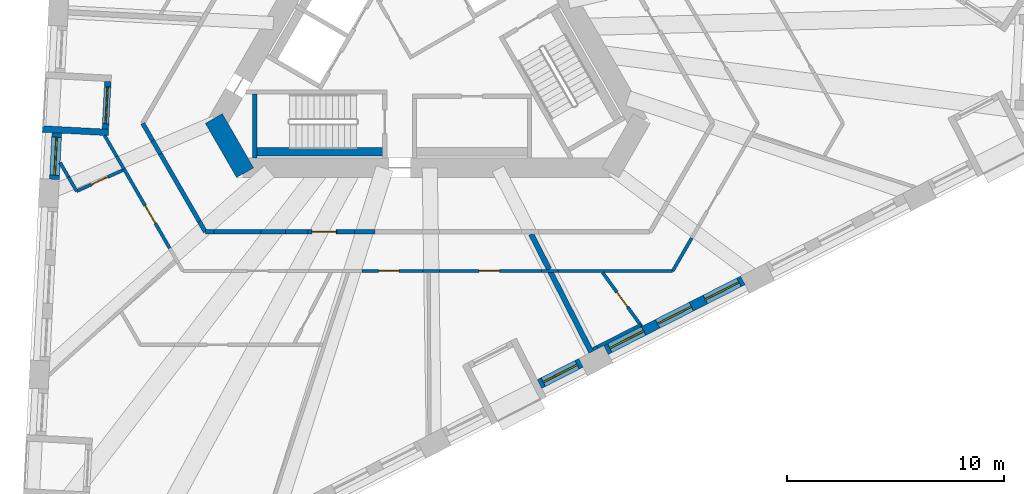
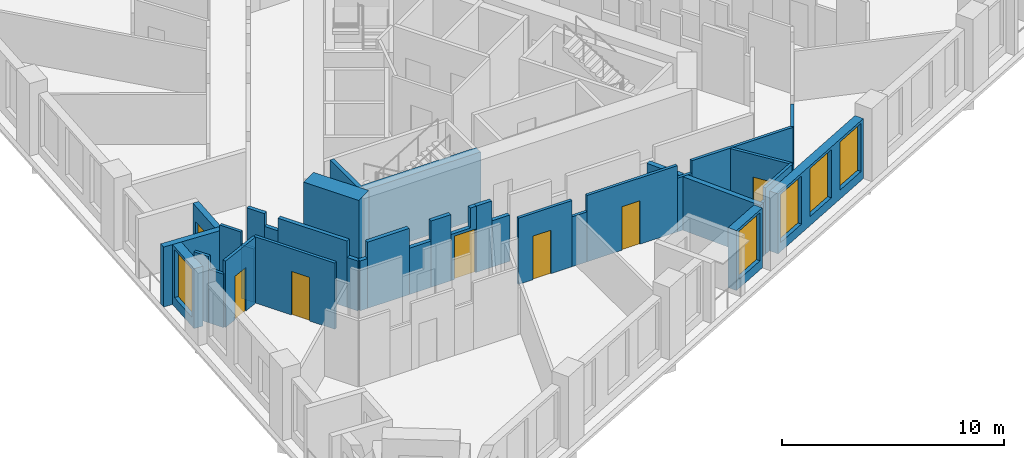
# One storey, part 3 of 12: 36 walls, 7 doors, 5 windows, 12 openings.
"""IFC4 building model written with IfcOpenShell, lengths in metres."""

from ifc_helpers import new_model, si_unit, direction, frame, frame_2d, origin, place, context, subcontext, project, spatial, polyline, rectangle, outline, extrude, material, layer, layer_set, type_object, element, fill, save


model = new_model("IFC4")

# Units and contexts
model_context = context("Model", 3, precision=1e-05, world=origin(), true_north=direction((0.0, 1.0)))
body_context = subcontext(model_context, "Body", "Model", "MODEL_VIEW")
ifc_project = project(units=[si_unit("LENGTHUNIT", "METRE"), si_unit("AREAUNIT", "SQUARE_METRE"), si_unit("VOLUMEUNIT", "CUBIC_METRE"), si_unit("PLANEANGLEUNIT", "RADIAN"), si_unit("MASSUNIT", "GRAM", prefix="KILO")], contexts=[model_context])

# Site, building, storey
site_placement = place(None, origin())
site = spatial("IfcSite", under=ifc_project, at=site_placement, CompositionType="ELEMENT")
building_placement = place(site_placement, origin())
building = spatial("IfcBuilding", under=site, at=building_placement, Name="Tramontana Tower", CompositionType="ELEMENT")
storey_placement = place(building_placement, frame((0.0, 0.0, 133.60009765625)))
storey = spatial("IfcBuildingStorey", under=building, at=storey_placement, Name="L30", CompositionType="ELEMENT", Elevation=133.60009765625)

# Walls
ifc_material_1 = material(Name="Concrete 70 MPa", Category="concrete")
ifc_layer_1 = layer(ifc_material_1, 0.89990234375)
ifc_layer_set_1 = layer_set([ifc_layer_1], Name="Core wall 900 70 MPa")
wall_type_1 = type_object("IfcWallType", Name="Core wall 900 70 MPa", PredefinedType="SHEAR", material=ifc_layer_set_1)
wall_1_placement = place(storey_placement, frame((-9.8583984375, -4.02490234375, 0.0), z_axis=(0.0, 0.0, 1.0), x_axis=(0.500059191753, -0.865991226713, 0.0)))
element("IfcWall", 1, at=wall_1_placement, inside=storey, type_object=wall_type_1, Name="Core wall C2 L30", PredefinedType="SHEAR", context=body_context, shape_type="SweptSolid", body=[
    extrude(rectangle(XDim=2.886962890625, YDim=0.89990234375, at=frame_2d((1.443359375, 0.0))), origin(), (0.0, 0.0, 1.0), 4.0),
])
ifc_material_2 = material(Name="Blockwork", Category="masonry")
ifc_layer_2 = layer(ifc_material_2, 0.199951171875)
ifc_layer_set_2 = layer_set([ifc_layer_2], Name="ENTRY WALL 200")
wall_type_2 = type_object("IfcWallType", Name="ENTRY WALL 200", PredefinedType="SOLIDWALL", material=ifc_layer_set_2)
wall_2_placement = place(storey_placement, frame((-2.441162109375, -9.25, 0.0), z_axis=(0.0, 0.0, 1.0), x_axis=(-1.0, 0.0, 0.0)))
element("IfcWall", 2, at=wall_2_placement, inside=storey, type_object=wall_type_2, Name="Wall v30-ew2-5", PredefinedType="SOLIDWALL", context=body_context, shape_type="SweptSolid", body=[
    extrude(rectangle(XDim=0.943603515625, YDim=0.199951171875, at=frame_2d((0.4716796875, 0.0))), origin(), (0.0, 0.0, 1.0), 2.5498046875),
])
wall_3_placement = place(storey_placement, frame((-3.384765625, -9.25, 0.0), z_axis=(0.0, 0.0, 1.0), x_axis=(-1.0, 0.0, 0.0)))
element("IfcWall", 3, at=wall_3_placement, inside=storey, type_object=wall_type_2, Name="Wall v30-ew2-6", PredefinedType="SOLIDWALL", context=body_context, shape_type="SweptSolid", body=[
    extrude(rectangle(XDim=0.80078125, YDim=0.199951171875, at=frame_2d((0.400390625, 0.0))), origin(), (0.0, 0.0, 1.0), 3.64990234375),
])

# Wall, opening, door
wall_4_placement = place(storey_placement, frame((-5.522216796875, -9.25, 0.0), z_axis=(0.0, 0.0, 1.0), x_axis=(1.0, 0.0, 0.0)))
wall_4 = element("IfcWall", 4, at=wall_4_placement, inside=storey, type_object=wall_type_2, Name="Wall v30-ew2-7", PredefinedType="SOLIDWALL", context=body_context, shape_type="SweptSolid", body=[
    extrude(outline(polyline([(0.0, 0.0), (1.336669921875, 0.0), (1.336669921875, 3.64990234375), (1.0234375, 3.64990234375), (1.0234375, 2.5498046875), (0.0, 2.5498046875), (0.0, 0.0)])), frame((0.0, 0.10009765625, 0.0), z_axis=(0.0, -1.0, 0.0), x_axis=(1.0, 0.0, 0.0)), (0.0, 0.0, 1.0), 0.199951171875),
])
opening_1_placement = place(wall_4_placement, frame((0.186767578125, 0.0, 0.0)))
opening_1 = element("IfcOpeningElement", 5, at=opening_1_placement, cuts=wall_4, Name="Opening B3A-23", PredefinedType="OPENING", context=body_context, shape_type="SweptSolid", body=[
    extrude(rectangle(XDim=1.10009765625, YDim=2.39990234375, at=frame_2d((0.550048828125, 1.199951171875))), frame((0.0, 0.10986328125, 0.0), z_axis=(0.0, -1.0, 0.0), x_axis=(1.0, 0.0, 0.0)), (0.0, 0.0, 1.0), 0.219970703125),
])
ifc_material_3 = material(Name="Painted timber", Category="wood")
door_type_1 = type_object("IfcDoorType", Name="DOOR ENTRY 1100", OperationType="SINGLE_SWING_LEFT", PredefinedType="DOOR", material=ifc_material_3)
door_1_placement = place(opening_1_placement, origin())
door_1 = element("IfcDoor", 6, at=door_1_placement, inside=storey, type_object=door_type_1, Name="Door B3A-23", OperationType="SINGLE_SWING_LEFT", OverallHeight=2.39990234375, OverallWidth=1.10009765625, PredefinedType="DOOR", context=body_context, shape_type="SweptSolid", body=[
    extrude(rectangle(XDim=1.10009765625, YDim=2.39990234375, at=frame_2d((0.550048828125, 1.199951171875))), frame((0.0, 0.02490234375, 0.0), z_axis=(0.0, -1.0, 0.0), x_axis=(1.0, 0.0, 0.0)), (0.0, 0.0, 1.0), 0.050048828125),
])
fill(opening_1, door_1)

# Walls
wall_5_placement = place(storey_placement, frame((-5.522216796875, -9.25, 0.0), z_axis=(0.0, 0.0, 1.0), x_axis=(-1.0, 0.0, 0.0)))
element("IfcWall", 7, at=wall_5_placement, inside=storey, type_object=wall_type_2, Name="Wall v30-ew2-8", PredefinedType="SOLIDWALL", context=body_context, shape_type="SweptSolid", body=[
    extrude(rectangle(XDim=1.0224609375, YDim=0.199951171875, at=frame_2d((0.51123046875, 0.0))), origin(), (0.0, 0.0, 1.0), 3.64990234375),
])
wall_6_placement = place(storey_placement, frame((-6.544677734375, -9.25, 0.0), z_axis=(0.0, 0.0, 1.0), x_axis=(-1.0, 0.0, 0.0)))
element("IfcWall", 8, at=wall_6_placement, inside=storey, type_object=wall_type_2, Name="Wall v30-ew2-9", PredefinedType="SOLIDWALL", context=body_context, shape_type="SweptSolid", body=[
    extrude(rectangle(XDim=1.13525390625, YDim=0.199951171875, at=frame_2d((0.567626953125, 0.0))), origin(), (0.0, 0.0, 1.0), 2.5498046875),
])
wall_7_placement = place(storey_placement, frame((-7.679931640625, -9.25, 0.0), z_axis=(0.0, 0.0, 1.0), x_axis=(-1.0, 0.0, 0.0)))
element("IfcWall", 9, at=wall_7_placement, inside=storey, type_object=wall_type_2, Name="Wall v30-ew2-10", PredefinedType="SOLIDWALL", context=body_context, shape_type="SweptSolid", body=[
    extrude(rectangle(XDim=2.1787109375, YDim=0.199951171875, at=frame_2d((1.08935546875, 0.0))), origin(), (0.0, 0.0, 1.0), 3.64990234375),
])
wall_8_placement = place(storey_placement, frame((-9.858642578125, -9.25, 0.0), z_axis=(0.0, 0.0, 1.0), x_axis=(-1.0, 0.0, 0.0)))
element("IfcWall", 10, at=wall_8_placement, inside=storey, type_object=wall_type_2, Name="Wall v30-ew2-11", PredefinedType="SOLIDWALL", context=body_context, shape_type="SweptSolid", body=[
    extrude(rectangle(XDim=0.389404296875, YDim=0.199951171875, at=frame_2d((0.19482421875, 0.0))), origin(), (0.0, 0.0, 1.0), 2.75),
])
wall_9_placement = place(storey_placement, frame((-10.248046875, -9.25, 0.0), z_axis=(0.0, 0.0, 1.0), x_axis=(-0.499887958344, 0.866090081402, 0.0)))
element("IfcWall", 11, at=wall_9_placement, inside=storey, type_object=wall_type_2, Name="Wall v30-ew3-0", PredefinedType="SOLIDWALL", context=body_context, shape_type="SweptSolid", body=[
    extrude(rectangle(XDim=0.553466796875, YDim=0.199951171875, at=frame_2d((0.27685546875, 0.0))), origin(), (0.0, 0.0, 1.0), 2.75),
])
wall_10_placement = place(storey_placement, frame((-10.524658203125, -8.770751953125, 0.0), z_axis=(0.0, 0.0, 1.0), x_axis=(-0.500031425827, 0.866007259314, 0.0)))
element("IfcWall", 12, at=wall_10_placement, inside=storey, type_object=wall_type_2, Name="Wall v30-ew3-1", PredefinedType="SOLIDWALL", context=body_context, shape_type="SweptSolid", body=[
    extrude(rectangle(XDim=3.602294921875, YDim=0.199951171875, at=frame_2d((1.80126953125, 0.0))), origin(), (0.0, 0.0, 1.0), 3.64990234375),
])
wall_11_placement = place(storey_placement, frame((-12.325927734375, -5.651123046875, 0.0), z_axis=(0.0, 0.0, 1.0), x_axis=(-0.499752435038, 0.86616828831, 0.0)))
element("IfcWall", 13, at=wall_11_placement, inside=storey, type_object=wall_type_2, Name="Wall v30-ew3-2", PredefinedType="SOLIDWALL", context=body_context, shape_type="SweptSolid", body=[
    extrude(rectangle(XDim=0.704833984375, YDim=0.199951171875, at=frame_2d((0.3525390625, 0.0))), origin(), (0.0, 0.0, 1.0), 2.949951171875),
])
wall_12_placement = place(storey_placement, frame((-12.67822265625, -5.04052734375, 0.0), z_axis=(0.0, 0.0, 1.0), x_axis=(-0.500108273885, 0.865962882802, 0.0)))
element("IfcWall", 14, at=wall_12_placement, inside=storey, type_object=wall_type_2, Name="Wall v30-ew3-3", PredefinedType="SOLIDWALL", context=body_context, shape_type="SweptSolid", body=[
    extrude(rectangle(XDim=0.912841796875, YDim=0.199951171875, at=frame_2d((0.45654296875, 0.0))), origin(), (0.0, 0.0, 1.0), 3.64990234375),
])

# Wall, opening, window
ifc_material_4 = material(Name="Precast concrete 60 MPa", Category="concrete")
ifc_layer_3 = layer(ifc_material_4, 0.449951171875)
ifc_layer_set_3 = layer_set([ifc_layer_3], Name="Precast concrete 60 MPa, 450 mm")
wall_type_3 = type_object("IfcWallType", Name="EW1 Stone-faced precast wall 450", PredefinedType="SOLIDWALL", material=ifc_layer_set_3)
wall_13_placement = place(storey_placement, frame((-17.093994140625, -4.69287109375, 0.0), z_axis=(0.0, 0.0, 1.0), x_axis=(-0.052355281723, -0.998628521762, 0.0)))
wall_13 = element("IfcWall", 15, at=wall_13_placement, inside=storey, type_object=wall_type_3, Name="External wall L30 face 0 bay 4", PredefinedType="SOLIDWALL", context=body_context, shape_type="SweptSolid", body=[
    extrude(rectangle(XDim=2.140380859375, YDim=0.449951171875, at=frame_2d((1.0703125, 0.0))), origin(), (0.0, 0.0, 1.0), 3.2998046875),
])
opening_2_placement = place(wall_13_placement, frame((0.1953125, 0.0, 0.5)))
opening_2 = element("IfcOpeningElement", 16, at=opening_2_placement, cuts=wall_13, Name="Opening M2", PredefinedType="OPENING", context=body_context, shape_type="SweptSolid", body=[
    extrude(rectangle(XDim=1.75, YDim=2.64990234375, at=frame_2d((0.875, 1.324951171875))), frame((0.0, 0.23486328125, 0.0), z_axis=(0.0, -1.0, 0.0), x_axis=(1.0, 0.0, 0.0)), (0.0, 0.0, 1.0), 0.469970703125),
])
ifc_material_5 = material(Name="Aluminum frame, double glazing unit", Category="aluminium")
window_type = type_object("IfcWindowType", Name="M2 Window 1.75 x 2.65", PartitioningType="SINGLE_PANEL", PredefinedType="WINDOW", material=ifc_material_5)
window_1_placement = place(opening_2_placement, origin())
window_1 = element("IfcWindow", 17, at=window_1_placement, inside=storey, type_object=window_type, Name="Window M2 L30 face 0 module 12", OverallHeight=2.64990234375, OverallWidth=1.75, PartitioningType="SINGLE_PANEL", PredefinedType="WINDOW", context=body_context, shape_type="SweptSolid", body=[
    extrude(rectangle(XDim=1.75, YDim=2.64990234375, at=frame_2d((0.875, 1.324951171875))), frame((0.0, 0.030029296875, 0.0), z_axis=(0.0, -1.0, 0.0), x_axis=(1.0, 0.0, 0.0)), (0.0, 0.0, 1.0), 0.06005859375),
])
fill(opening_2, window_1)

wall_14_placement = place(storey_placement, frame((5.152099609375, -16.258056640625, 0.0), z_axis=(0.0, 0.0, 1.0), x_axis=(0.891025569559, 0.453953119156, 0.0)))
wall_14 = element("IfcWall", 18, at=wall_14_placement, inside=storey, type_object=wall_type_3, Name="External wall L30 face 1 bay 3", PredefinedType="SOLIDWALL", context=body_context, shape_type="SweptSolid", body=[
    extrude(rectangle(XDim=2.140380859375, YDim=0.449951171875, at=frame_2d((1.0703125, 0.0))), origin(), (0.0, 0.0, 1.0), 3.2998046875),
])
opening_3_placement = place(wall_14_placement, frame((0.1953125, 0.0, 0.5)))
opening_3 = element("IfcOpeningElement", 19, at=opening_3_placement, cuts=wall_14, Name="Opening M2", PredefinedType="OPENING", context=body_context, shape_type="SweptSolid", body=[
    extrude(rectangle(XDim=1.75, YDim=2.64990234375, at=frame_2d((0.875, 1.324951171875))), frame((0.0, 0.23486328125, 0.0), z_axis=(0.0, -1.0, 0.0), x_axis=(1.0, 0.0, 0.0)), (0.0, 0.0, 1.0), 0.469970703125),
])
window_2_placement = place(opening_3_placement, origin())
window_2 = element("IfcWindow", 20, at=window_2_placement, inside=storey, type_object=window_type, Name="Window M2 L30 face 1 module 9", OverallHeight=2.64990234375, OverallWidth=1.75, PartitioningType="SINGLE_PANEL", PredefinedType="WINDOW", context=body_context, shape_type="SweptSolid", body=[
    extrude(rectangle(XDim=1.75, YDim=2.64990234375, at=frame_2d((0.875, 1.324951171875))), frame((0.0, 0.030029296875, 0.0), z_axis=(0.0, -1.0, 0.0), x_axis=(1.0, 0.0, 0.0)), (0.0, 0.0, 1.0), 0.06005859375),
])
fill(opening_3, window_2)

# Wall, openings, windows
wall_15_placement = place(storey_placement, frame((8.217529296875, -14.696044921875, 0.0), z_axis=(0.0, 0.0, 1.0), x_axis=(0.891004189171, 0.45399508244, 0.0)))
wall_15 = element("IfcWall", 21, at=wall_15_placement, inside=storey, type_object=wall_type_3, Name="External wall L30 face 1 bay 4", PredefinedType="SOLIDWALL", context=body_context, shape_type="SweptSolid", body=[
    extrude(rectangle(XDim=7.071533203125, YDim=0.449951171875, at=frame_2d((3.53564453125, 0.0))), origin(), (0.0, 0.0, 1.0), 3.2998046875),
])
opening_4_placement = place(wall_15_placement, frame((0.1953125, 0.0, 0.5)))
opening_4 = element("IfcOpeningElement", 22, at=opening_4_placement, cuts=wall_15, Name="Opening M2", PredefinedType="OPENING", context=body_context, shape_type="SweptSolid", body=[
    extrude(rectangle(XDim=1.75, YDim=2.64990234375, at=frame_2d((0.875, 1.324951171875))), frame((0.0, 0.23486328125, 0.0), z_axis=(0.0, -1.0, 0.0), x_axis=(1.0, 0.0, 0.0)), (0.0, 0.0, 1.0), 0.469970703125),
])
opening_5_placement = place(wall_15_placement, frame((2.660888671875, 0.0, 0.5)))
opening_5 = element("IfcOpeningElement", 23, at=opening_5_placement, cuts=wall_15, Name="Opening M2", PredefinedType="OPENING", context=body_context, shape_type="SweptSolid", body=[
    extrude(rectangle(XDim=1.75, YDim=2.64990234375, at=frame_2d((0.875, 1.324951171875))), frame((0.0, 0.23486328125, 0.0), z_axis=(0.0, -1.0, 0.0), x_axis=(1.0, 0.0, 0.0)), (0.0, 0.0, 1.0), 0.469970703125),
])
opening_6_placement = place(wall_15_placement, frame((5.126220703125, 0.0, 0.5)))
opening_6 = element("IfcOpeningElement", 24, at=opening_6_placement, cuts=wall_15, Name="Opening M2", PredefinedType="OPENING", context=body_context, shape_type="SweptSolid", body=[
    extrude(rectangle(XDim=1.75, YDim=2.64990234375, at=frame_2d((0.875, 1.324951171875))), frame((0.0, 0.23486328125, 0.0), z_axis=(0.0, -1.0, 0.0), x_axis=(1.0, 0.0, 0.0)), (0.0, 0.0, 1.0), 0.469970703125),
])
window_3_placement = place(opening_4_placement, origin())
window_3 = element("IfcWindow", 25, at=window_3_placement, inside=storey, type_object=window_type, Name="Window M2 L30 face 1 module 10", OverallHeight=2.64990234375, OverallWidth=1.75, PartitioningType="SINGLE_PANEL", PredefinedType="WINDOW", context=body_context, shape_type="SweptSolid", body=[
    extrude(rectangle(XDim=1.75, YDim=2.64990234375, at=frame_2d((0.875, 1.324951171875))), frame((0.0, 0.030029296875, 0.0), z_axis=(0.0, -1.0, 0.0), x_axis=(1.0, 0.0, 0.0)), (0.0, 0.0, 1.0), 0.06005859375),
])
fill(opening_4, window_3)
window_4_placement = place(opening_5_placement, origin())
window_4 = element("IfcWindow", 26, at=window_4_placement, inside=storey, type_object=window_type, Name="Window M2 L30 face 1 module 11", OverallHeight=2.64990234375, OverallWidth=1.75, PartitioningType="SINGLE_PANEL", PredefinedType="WINDOW", context=body_context, shape_type="SweptSolid", body=[
    extrude(rectangle(XDim=1.75, YDim=2.64990234375, at=frame_2d((0.875, 1.324951171875))), frame((0.0, 0.030029296875, 0.0), z_axis=(0.0, -1.0, 0.0), x_axis=(1.0, 0.0, 0.0)), (0.0, 0.0, 1.0), 0.06005859375),
])
fill(opening_5, window_4)
window_5_placement = place(opening_6_placement, origin())
window_5 = element("IfcWindow", 27, at=window_5_placement, inside=storey, type_object=window_type, Name="Window M2 L30 face 1 module 12", OverallHeight=2.64990234375, OverallWidth=1.75, PartitioningType="SINGLE_PANEL", PredefinedType="WINDOW", context=body_context, shape_type="SweptSolid", body=[
    extrude(rectangle(XDim=1.75, YDim=2.64990234375, at=frame_2d((0.875, 1.324951171875))), frame((0.0, 0.030029296875, 0.0), z_axis=(0.0, -1.0, 0.0), x_axis=(1.0, 0.0, 0.0)), (0.0, 0.0, 1.0), 0.06005859375),
])
fill(opening_6, window_5)

# Wall, opening, door
ifc_material_6 = material(Name="Precast concrete 60 MPa", Category="concrete")
ifc_layer_4 = layer(ifc_material_6, 0.300048828125)
ifc_layer_set_4 = layer_set([ifc_layer_4], Name="LW1 Stone-faced loggia wall 300")
wall_type_4 = type_object("IfcWallType", Name="LW1 Stone-faced loggia wall 300", PredefinedType="SOLIDWALL", material=ifc_layer_set_4)
wall_16_placement = place(storey_placement, frame((-14.74169921875, -2.322265625, 0.0), z_axis=(0.0, 0.0, 1.0), x_axis=(-0.052383338583, -0.998627050424, 0.0)))
wall_16 = element("IfcWall", 28, at=wall_16_placement, inside=storey, type_object=wall_type_4, Name="Loggia wall L30 G3S0.10", PredefinedType="SOLIDWALL", context=body_context, shape_type="SweptSolid", body=[
    extrude(rectangle(XDim=2.1904296875, YDim=0.300048828125, at=frame_2d((1.09521484375, 0.0))), origin(), (0.0, 0.0, 1.0), 3.2998046875),
])
opening_7_placement = place(wall_16_placement, frame((0.245361328125, 0.0, 0.0)))
opening_7 = element("IfcOpeningElement", 29, at=opening_7_placement, cuts=wall_16, Name="Opening BD-3S0-10", PredefinedType="OPENING", context=body_context, shape_type="SweptSolid", body=[
    extrude(rectangle(XDim=1.699951171875, YDim=2.449951171875, at=frame_2d((0.85009765625, 1.22509765625))), frame((0.0, 0.159912109375, 0.0), z_axis=(0.0, -1.0, 0.0), x_axis=(1.0, 0.0, 0.0)), (0.0, 0.0, 1.0), 0.320068359375),
])
ifc_material_7 = material(Name="Aluminum frame, double glazing unit", Category="aluminium")
door_type_2 = type_object("IfcDoorType", Name="BD2 Sliding door 1.7 x 2.45", OperationType="SLIDING_TO_LEFT", PredefinedType="DOOR", material=ifc_material_7)
door_2_placement = place(opening_7_placement, origin())
door_2 = element("IfcDoor", 30, at=door_2_placement, inside=storey, type_object=door_type_2, Name="Loggia door L30 G3S0.10", OperationType="SLIDING_TO_LEFT", OverallHeight=2.449951171875, OverallWidth=1.699951171875, PredefinedType="DOOR", context=body_context, shape_type="SweptSolid", body=[
    extrude(rectangle(XDim=1.699951171875, YDim=2.449951171875, at=frame_2d((0.85009765625, 1.22509765625))), frame((0.0, 0.02490234375, 0.0), z_axis=(0.0, -1.0, 0.0), x_axis=(1.0, 0.0, 0.0)), (0.0, 0.0, 1.0), 0.050048828125),
])
fill(opening_7, door_2)

# Walls
wall_17_placement = place(storey_placement, frame((-17.76025390625, -4.5078125, 0.0), z_axis=(0.0, 0.0, 1.0), x_axis=(0.998633044326, -0.052268946613, 0.0)))
element("IfcWall", 31, at=wall_17_placement, inside=storey, type_object=wall_type_4, Name="Loggia return L30 G3S0.10b", PredefinedType="SOLIDWALL", context=body_context, shape_type="SweptSolid", body=[
    extrude(rectangle(XDim=3.050048828125, YDim=0.300048828125, at=frame_2d((1.52490234375, 0.0))), origin(), (0.0, 0.0, 1.0), 3.2998046875),
])
ifc_material_8 = material(Name="Gypsum board partition")
ifc_layer_5 = layer(ifc_material_8, 0.14990234375)
ifc_layer_set_5 = layer_set([ifc_layer_5], Name="PARTITION 150")
wall_type_5 = type_object("IfcWallType", Name="PARTITION 150", PredefinedType="PARTITIONING", material=ifc_layer_set_5)
wall_18_placement = place(storey_placement, frame((-16.1806640625, -7.374267578125, 0.0), z_axis=(0.0, 0.0, 1.0), x_axis=(-0.499999897272, 0.866025463095, 0.0)))
element("IfcWall", 32, at=wall_18_placement, inside=storey, type_object=wall_type_5, Name="Wall v30-pw01-0", PredefinedType="PARTITIONING", context=body_context, shape_type="SweptSolid", body=[
    extrude(rectangle(XDim=0.76171875, YDim=0.14990234375, at=frame_2d((0.380859375, 0.0))), origin(), (0.0, 0.0, 1.0), 2.949951171875),
])
wall_19_placement = place(storey_placement, frame((-16.5615234375, -6.714599609375, 0.0), z_axis=(0.0, 0.0, 1.0), x_axis=(-0.499917764341, 0.866072877359, 0.0)))
element("IfcWall", 33, at=wall_19_placement, inside=storey, type_object=wall_type_5, Name="Wall v30-pw01-1", PredefinedType="PARTITIONING", context=body_context, shape_type="SweptSolid", body=[
    extrude(rectangle(XDim=0.757568359375, YDim=0.14990234375, at=frame_2d((0.37890625, 0.0))), origin(), (0.0, 0.0, 1.0), 3.64990234375),
])

# Wall, opening, door
wall_20_placement = place(storey_placement, frame((-16.1806640625, -7.374267578125, 0.0), z_axis=(0.0, 0.0, 1.0), x_axis=(0.909943631366, 0.414731946848, 0.0)))
wall_20 = element("IfcWall", 34, at=wall_20_placement, inside=storey, type_object=wall_type_5, Name="Wall v30-pw02", PredefinedType="PARTITIONING", context=body_context, shape_type="SweptSolid", body=[
    extrude(rectangle(XDim=2.3359375, YDim=0.14990234375, at=frame_2d((1.16796875, 0.0))), origin(), (0.0, 0.0, 1.0), 3.64990234375),
])
opening_8_placement = place(wall_20_placement, frame((0.742919921875, 0.0, 0.0)))
opening_8 = element("IfcOpeningElement", 35, at=opening_8_placement, cuts=wall_20, Name="Opening B3A-12", PredefinedType="OPENING", context=body_context, shape_type="SweptSolid", body=[
    extrude(rectangle(XDim=0.85009765625, YDim=2.39990234375, at=frame_2d((0.425048828125, 1.199951171875))), frame((0.0, 0.0849609375, 0.0), z_axis=(0.0, -1.0, 0.0), x_axis=(1.0, 0.0, 0.0)), (0.0, 0.0, 1.0), 0.169921875),
])
ifc_material_9 = material(Name="Painted timber", Category="wood")
door_type_3 = type_object("IfcDoorType", Name="DOOR BATH 850", OperationType="SINGLE_SWING_LEFT", PredefinedType="DOOR", material=ifc_material_9)
door_3_placement = place(opening_8_placement, origin())
door_3 = element("IfcDoor", 36, at=door_3_placement, inside=storey, type_object=door_type_3, Name="Door B3A-12", OperationType="SINGLE_SWING_RIGHT", OverallHeight=2.39990234375, OverallWidth=0.85009765625, PredefinedType="DOOR", context=body_context, shape_type="SweptSolid", body=[
    extrude(rectangle(XDim=0.85009765625, YDim=2.39990234375, at=frame_2d((0.425048828125, 1.199951171875))), frame((0.0, 0.02490234375, 0.0), z_axis=(0.0, -1.0, 0.0), x_axis=(1.0, 0.0, 0.0)), (0.0, 0.0, 1.0), 0.050048828125),
])
fill(opening_8, door_3)

wall_21_placement = place(storey_placement, frame((-11.894287109375, -9.99853515625, 0.0), z_axis=(0.0, 0.0, 1.0), x_axis=(-0.500000251441, 0.866025258615, 0.0)))
wall_21 = element("IfcWall", 37, at=wall_21_placement, inside=storey, type_object=wall_type_5, Name="Wall v30-pw05-2", PredefinedType="PARTITIONING", context=body_context, shape_type="SweptSolid", body=[
    extrude(rectangle(XDim=4.20947265625, YDim=0.14990234375, at=frame_2d((2.104736328125, 0.0))), origin(), (0.0, 0.0, 1.0), 3.64990234375),
])
opening_9_placement = place(wall_21_placement, frame((1.312744140625, 0.0, 0.0)))
opening_9 = element("IfcOpeningElement", 38, at=opening_9_placement, cuts=wall_21, Name="Opening B3A-09", PredefinedType="OPENING", context=body_context, shape_type="SweptSolid", body=[
    extrude(rectangle(XDim=0.949951171875, YDim=2.39990234375, at=frame_2d((0.47509765625, 1.199951171875))), frame((0.0, 0.0849609375, 0.0), z_axis=(0.0, -1.0, 0.0), x_axis=(1.0, 0.0, 0.0)), (0.0, 0.0, 1.0), 0.169921875),
])
ifc_material_10 = material(Name="Painted timber", Category="wood")
door_type_4 = type_object("IfcDoorType", Name="DOOR ROOM 950", OperationType="SINGLE_SWING_LEFT", PredefinedType="DOOR", material=ifc_material_10)
door_4_placement = place(opening_9_placement, origin())
door_4 = element("IfcDoor", 39, at=door_4_placement, inside=storey, type_object=door_type_4, Name="Door B3A-09", OperationType="SINGLE_SWING_LEFT", OverallHeight=2.39990234375, OverallWidth=0.949951171875, PredefinedType="DOOR", context=body_context, shape_type="SweptSolid", body=[
    extrude(rectangle(XDim=0.949951171875, YDim=2.39990234375, at=frame_2d((0.47509765625, 1.199951171875))), frame((0.0, 0.02490234375, 0.0), z_axis=(0.0, -1.0, 0.0), x_axis=(1.0, 0.0, 0.0)), (0.0, 0.0, 1.0), 0.050048828125),
])
fill(opening_9, door_4)

# Walls
wall_22_placement = place(storey_placement, frame((-13.9990234375, -6.35302734375, 0.0), z_axis=(0.0, 0.0, 1.0), x_axis=(-0.499846793097, 0.866113839764, 0.0)))
element("IfcWall", 40, at=wall_22_placement, inside=storey, type_object=wall_type_5, Name="Wall v30-pw05-3", PredefinedType="PARTITIONING", context=body_context, shape_type="SweptSolid", body=[
    extrude(rectangle(XDim=0.679931640625, YDim=0.14990234375, at=frame_2d((0.33984375, 0.0))), origin(), (0.0, 0.0, 1.0), 2.949951171875),
])
wall_23_placement = place(storey_placement, frame((-14.3388671875, -5.76416015625, 0.0), z_axis=(0.0, 0.0, 1.0), x_axis=(-0.500111757231, 0.865960871102, 0.0)))
element("IfcWall", 41, at=wall_23_placement, inside=storey, type_object=wall_type_5, Name="Wall v30-pw05-4", PredefinedType="PARTITIONING", context=body_context, shape_type="SweptSolid", body=[
    extrude(rectangle(XDim=1.103759765625, YDim=0.14990234375, at=frame_2d((0.5517578125, 0.0))), origin(), (0.0, 0.0, 1.0), 3.64990234375),
])

# Wall, opening, door
wall_24_placement = place(storey_placement, frame((9.857177734375, -13.608154296875, 0.0), z_axis=(0.0, 0.0, 1.0), x_axis=(-0.586655693692, 0.809836463157, 0.0)))
wall_24 = element("IfcWall", 42, at=wall_24_placement, inside=storey, type_object=wall_type_5, Name="Wall v30-pw24", PredefinedType="PARTITIONING", context=body_context, shape_type="SweptSolid", body=[
    extrude(rectangle(XDim=3.066162109375, YDim=0.14990234375, at=frame_2d((1.533203125, 0.0))), origin(), (0.0, 0.0, 1.0), 3.64990234375),
])
opening_10_placement = place(wall_24_placement, frame((1.108154296875, 0.0, 0.0)))
opening_10 = element("IfcOpeningElement", 43, at=opening_10_placement, cuts=wall_24, Name="Opening B3A-17", PredefinedType="OPENING", context=body_context, shape_type="SweptSolid", body=[
    extrude(rectangle(XDim=0.85009765625, YDim=2.39990234375, at=frame_2d((0.425048828125, 1.199951171875))), frame((0.0, 0.0849609375, 0.0), z_axis=(0.0, -1.0, 0.0), x_axis=(1.0, 0.0, 0.0)), (0.0, 0.0, 1.0), 0.169921875),
])
door_5_placement = place(opening_10_placement, origin())
door_5 = element("IfcDoor", 44, at=door_5_placement, inside=storey, type_object=door_type_3, Name="Door B3A-17", OperationType="SINGLE_SWING_LEFT", OverallHeight=2.39990234375, OverallWidth=0.85009765625, PredefinedType="DOOR", context=body_context, shape_type="SweptSolid", body=[
    extrude(rectangle(XDim=0.85009765625, YDim=2.39990234375, at=frame_2d((0.425048828125, 1.199951171875))), frame((0.0, 0.02490234375, 0.0), z_axis=(0.0, -1.0, 0.0), x_axis=(1.0, 0.0, 0.0)), (0.0, 0.0, 1.0), 0.050048828125),
])
fill(opening_10, door_5)

# Walls
wall_25_placement = place(storey_placement, frame((9.818359375, -13.532470703125, 0.0), z_axis=(0.0, 0.0, 1.0), x_axis=(-0.890998403094, -0.454006437932, 0.0)))
element("IfcWall", 45, at=wall_25_placement, inside=storey, type_object=wall_type_5, Name="Wall v30-pw27-0", PredefinedType="PARTITIONING", context=body_context, shape_type="SweptSolid", body=[
    extrude(rectangle(XDim=2.26708984375, YDim=0.14990234375, at=frame_2d((1.133544921875, 0.0))), origin(), (0.0, 0.0, 1.0), 3.64990234375),
])
wall_26_placement = place(storey_placement, frame((7.79833984375, -14.561767578125, 0.0), z_axis=(0.0, 0.0, 1.0), x_axis=(-0.890951748139, -0.454097987761, 0.0)))
element("IfcWall", 46, at=wall_26_placement, inside=storey, type_object=wall_type_5, Name="Wall v30-pw27-1", PredefinedType="PARTITIONING", context=body_context, shape_type="SweptSolid", body=[
    extrude(rectangle(XDim=0.21240234375, YDim=0.14990234375, at=frame_2d((0.106201171875, 0.0))), origin(), (0.0, 0.0, 1.0), 2.949951171875),
])
wall_27_placement = place(storey_placement, frame((11.287109375, -11.050048828125, 0.0), z_axis=(0.0, 0.0, 1.0), x_axis=(-1.0, 0.0, 0.0)))
element("IfcWall", 47, at=wall_27_placement, inside=storey, type_object=wall_type_5, Name="Wall v30-pw28-0", PredefinedType="PARTITIONING", context=body_context, shape_type="SweptSolid", body=[
    extrude(rectangle(XDim=5.278076171875, YDim=0.14990234375, at=frame_2d((2.63916015625, 0.0))), origin(), (0.0, 0.0, 1.0), 3.64990234375),
])
wall_28_placement = place(storey_placement, frame((6.009033203125, -11.050048828125, 0.0), z_axis=(0.0, 0.0, 1.0), x_axis=(-1.0, 0.0, 0.0)))
element("IfcWall", 48, at=wall_28_placement, inside=storey, type_object=wall_type_5, Name="Wall v30-pw28-1", PredefinedType="PARTITIONING", context=body_context, shape_type="SweptSolid", body=[
    extrude(rectangle(XDim=0.757568359375, YDim=0.14990234375, at=frame_2d((0.37890625, 0.0))), origin(), (0.0, 0.0, 1.0), 2.949951171875),
])

# Wall, opening, door
wall_29_placement = place(storey_placement, frame((5.25146484375, -11.050048828125, 0.0), z_axis=(0.0, 0.0, 1.0), x_axis=(-1.0, 0.0, 0.0)))
wall_29 = element("IfcWall", 49, at=wall_29_placement, inside=storey, type_object=wall_type_5, Name="Wall v30-pw28-2", PredefinedType="PARTITIONING", context=body_context, shape_type="SweptSolid", body=[
    extrude(rectangle(XDim=4.7001953125, YDim=0.14990234375, at=frame_2d((2.35009765625, 0.0))), origin(), (0.0, 0.0, 1.0), 3.64990234375),
])
opening_11_placement = place(wall_29_placement, frame((1.93994140625, 0.0, 0.0)))
opening_11 = element("IfcOpeningElement", 50, at=opening_11_placement, cuts=wall_29, Name="Opening B3A-11", PredefinedType="OPENING", context=body_context, shape_type="SweptSolid", body=[
    extrude(rectangle(XDim=0.949951171875, YDim=2.39990234375, at=frame_2d((0.47509765625, 1.199951171875))), frame((0.0, 0.0849609375, 0.0), z_axis=(0.0, -1.0, 0.0), x_axis=(1.0, 0.0, 0.0)), (0.0, 0.0, 1.0), 0.169921875),
])
door_6_placement = place(opening_11_placement, origin())
door_6 = element("IfcDoor", 51, at=door_6_placement, inside=storey, type_object=door_type_4, Name="Door B3A-11", OperationType="SINGLE_SWING_LEFT", OverallHeight=2.39990234375, OverallWidth=0.949951171875, PredefinedType="DOOR", context=body_context, shape_type="SweptSolid", body=[
    extrude(rectangle(XDim=0.949951171875, YDim=2.39990234375, at=frame_2d((0.47509765625, 1.199951171875))), frame((0.0, 0.02490234375, 0.0), z_axis=(0.0, -1.0, 0.0), x_axis=(1.0, 0.0, 0.0)), (0.0, 0.0, 1.0), 0.050048828125),
])
fill(opening_11, door_6)

# Wall
wall_30_placement = place(storey_placement, frame((0.55126953125, -11.050048828125, 0.0), z_axis=(0.0, 0.0, 1.0), x_axis=(-1.0, 0.0, 0.0)))
element("IfcWall", 52, at=wall_30_placement, inside=storey, type_object=wall_type_5, Name="Wall v30-pw28-3", PredefinedType="PARTITIONING", context=body_context, shape_type="SweptSolid", body=[
    extrude(rectangle(XDim=0.775146484375, YDim=0.14990234375, at=frame_2d((0.3876953125, 0.0))), origin(), (0.0, 0.0, 1.0), 2.75),
])

# Wall, opening, door
wall_31_placement = place(storey_placement, frame((-0.223876953125, -11.050048828125, 0.0), z_axis=(0.0, 0.0, 1.0), x_axis=(-1.0, 0.0, 0.0)))
wall_31 = element("IfcWall", 53, at=wall_31_placement, inside=storey, type_object=wall_type_5, Name="Wall v30-pw28-4", PredefinedType="PARTITIONING", context=body_context, shape_type="SweptSolid", body=[
    extrude(rectangle(XDim=2.797119140625, YDim=0.14990234375, at=frame_2d((1.3984375, 0.0))), origin(), (0.0, 0.0, 1.0), 3.64990234375),
])
opening_12_placement = place(wall_31_placement, frame((1.099853515625, 0.0, 0.0)))
opening_12 = element("IfcOpeningElement", 54, at=opening_12_placement, cuts=wall_31, Name="Opening B3A-10", PredefinedType="OPENING", context=body_context, shape_type="SweptSolid", body=[
    extrude(rectangle(XDim=0.949951171875, YDim=2.39990234375, at=frame_2d((0.47509765625, 1.199951171875))), frame((0.0, 0.0849609375, 0.0), z_axis=(0.0, -1.0, 0.0), x_axis=(1.0, 0.0, 0.0)), (0.0, 0.0, 1.0), 0.169921875),
])
door_7_placement = place(opening_12_placement, origin())
door_7 = element("IfcDoor", 55, at=door_7_placement, inside=storey, type_object=door_type_4, Name="Door B3A-10", OperationType="SINGLE_SWING_RIGHT", OverallHeight=2.39990234375, OverallWidth=0.949951171875, PredefinedType="DOOR", context=body_context, shape_type="SweptSolid", body=[
    extrude(rectangle(XDim=0.949951171875, YDim=2.39990234375, at=frame_2d((0.47509765625, 1.199951171875))), frame((0.0, 0.02490234375, 0.0), z_axis=(0.0, -1.0, 0.0), x_axis=(1.0, 0.0, 0.0)), (0.0, 0.0, 1.0), 0.050048828125),
])
fill(opening_12, door_7)

# Walls
wall_32_placement = place(storey_placement, frame((12.161376953125, -9.535888671875, 0.0), z_axis=(0.0, 0.0, 1.0), x_axis=(-0.500028655776, -0.866008858732, 0.0)))
element("IfcWall", 56, at=wall_32_placement, inside=storey, type_object=wall_type_5, Name="Wall v30-pw32-4", PredefinedType="PARTITIONING", context=body_context, shape_type="SweptSolid", body=[
    extrude(rectangle(XDim=1.74853515625, YDim=0.14990234375, at=frame_2d((0.874267578125, 0.0))), origin(), (0.0, 0.0, 1.0), 3.64990234375),
])
ifc_material_11 = material(Name="Blockwork", Category="masonry")
ifc_layer_6 = layer(ifc_material_11, 0.25)
ifc_layer_set_6 = layer_set([ifc_layer_6], Name="PARTY WALL 250")
wall_type_6 = type_object("IfcWallType", Name="PARTY WALL 250", PredefinedType="SOLIDWALL", material=ifc_layer_set_6)
wall_33_placement = place(storey_placement, frame((4.76416015625, -9.35009765625, 0.0), z_axis=(0.0, 0.0, 1.0), x_axis=(0.454001993206, -0.891000667881, 0.0)))
element("IfcWall", 57, at=wall_33_placement, inside=storey, type_object=wall_type_6, Name="Wall v30-pw21-0", PredefinedType="SOLIDWALL", context=body_context, shape_type="SweptSolid", body=[
    extrude(rectangle(XDim=1.823486328125, YDim=0.25, at=frame_2d((0.91162109375, 0.0))), origin(), (0.0, 0.0, 1.0), 2.949951171875),
])
wall_34_placement = place(storey_placement, frame((5.645751953125, -11.080322265625, 0.0), z_axis=(0.0, 0.0, 1.0), x_axis=(0.453954763642, -0.891024731737, 0.0)))
element("IfcWall", 58, at=wall_34_placement, inside=storey, type_object=wall_type_6, Name="Wall v30-pw23-0", PredefinedType="SOLIDWALL", context=body_context, shape_type="SweptSolid", body=[
    extrude(rectangle(XDim=4.164306640625, YDim=0.25, at=frame_2d((2.08203125, 0.0))), origin(), (0.0, 0.0, 1.0), 2.949951171875),
])
ifc_material_12 = material(Name="Concrete 70 MPa", Category="concrete")
ifc_layer_7 = layer(ifc_material_12, 0.39990234375)
ifc_layer_set_7 = layer_set([ifc_layer_7], Name="Concrete 70 MPa, 400 mm")
wall_type_7 = type_object("IfcWallType", Name="RC SHAFT BACK WALL 400", PredefinedType="SOLIDWALL", material=ifc_layer_set_7)
wall_35_placement = place(storey_placement, frame((-8.080078125, -5.550048828125, 0.0), z_axis=(0.0, 0.0, 1.0), x_axis=(1.0, 0.0, 0.0)))
element("IfcWall", 59, at=wall_35_placement, inside=storey, type_object=wall_type_7, Name="Wall st2-back", PredefinedType="SOLIDWALL", context=body_context, shape_type="SweptSolid", body=[
    extrude(rectangle(XDim=6.2001953125, YDim=0.39990234375, at=frame_2d((3.10009765625, 0.0))), origin(), (0.0, 0.0, 1.0), 3.64990234375),
])
ifc_material_13 = material(Name="Concrete 70 MPa", Category="concrete")
ifc_layer_8 = layer(ifc_material_13, 0.199951171875)
ifc_layer_set_8 = layer_set([ifc_layer_8], Name="Concrete 70 MPa, 200 mm")
wall_type_8 = type_object("IfcWallType", Name="RC STAIR AND SHAFT WALL 200", PredefinedType="SOLIDWALL", material=ifc_layer_set_8)
wall_36_placement = place(storey_placement, frame((-7.97998046875, -2.89990234375, 0.0), z_axis=(0.0, 0.0, 1.0), x_axis=(0.0, -1.0, 0.0)))
element("IfcWall", 60, at=wall_36_placement, inside=storey, type_object=wall_type_8, Name="Wall st2-far", PredefinedType="SOLIDWALL", context=body_context, shape_type="SweptSolid", body=[
    extrude(rectangle(XDim=2.9501953125, YDim=0.199951171875, at=frame_2d((1.47509765625, 0.0))), origin(), (0.0, 0.0, 1.0), 3.64990234375),
])

save(model, "model.ifc")
